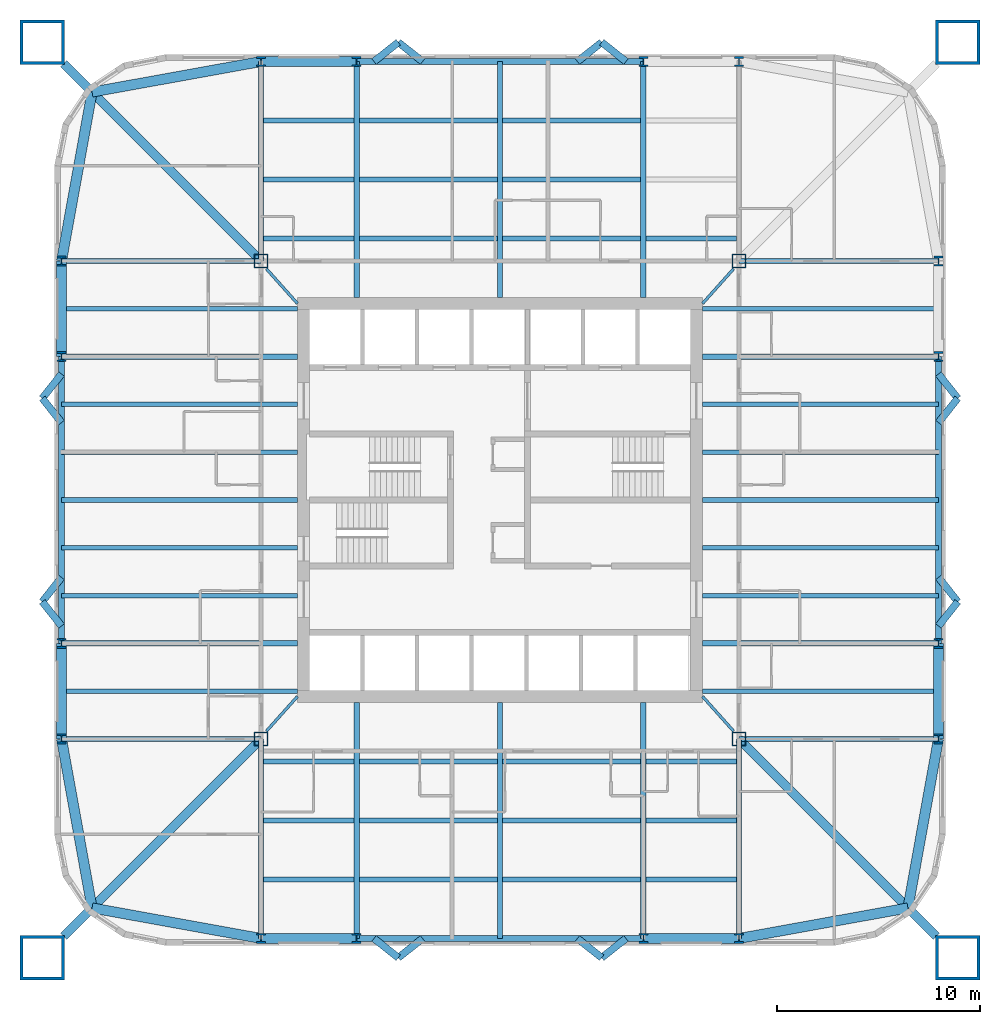
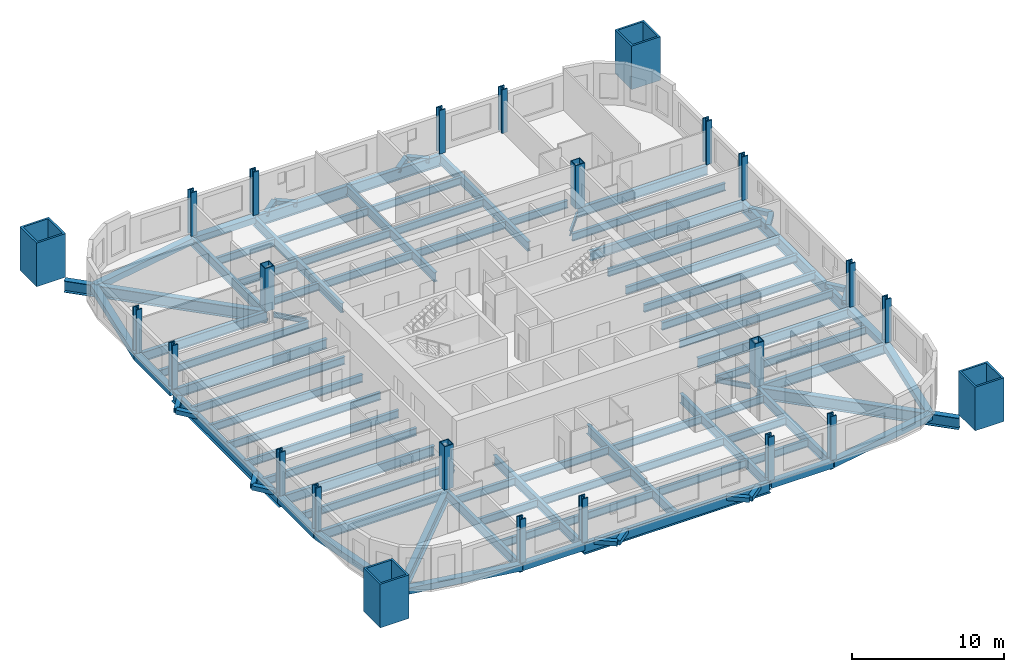
# One storey, part 1 of 10: 92 beams, 24 columns.
"""IFC4 building model written with IfcOpenShell, lengths in metres."""

from ifc_helpers import new_model, si_unit, direction, frame, origin, origin_2d, place, context, subcontext, project, spatial, hollow_rectangle, i_section, extrude, material, material_profile, profile_set, type_object, element, save


model = new_model("IFC4")

# Units and contexts
model_context = context("Model", 3, precision=1e-05, world=origin(), true_north=direction((0.0, 1.0)))
body_context = subcontext(model_context, "Body", "Model", "MODEL_VIEW")
ifc_project = project(units=[si_unit("LENGTHUNIT", "METRE"), si_unit("AREAUNIT", "SQUARE_METRE"), si_unit("VOLUMEUNIT", "CUBIC_METRE"), si_unit("PLANEANGLEUNIT", "RADIAN"), si_unit("MASSUNIT", "GRAM", prefix="KILO")], contexts=[model_context])

# Site, building, storey
site_placement = place(None, origin())
site = spatial("IfcSite", under=ifc_project, at=site_placement, CompositionType="ELEMENT")
building_placement = place(site_placement, origin())
building = spatial("IfcBuilding", under=site, at=building_placement, Name="Turquesa Mirador Hotel Tower", CompositionType="ELEMENT")
storey_placement = place(building_placement, frame((0.0, 0.0, 63.5)))
storey = spatial("IfcBuildingStorey", under=building, at=storey_placement, Name="L16", CompositionType="ELEMENT", Elevation=63.5)

# Columns
ifc_material_1 = material(Name="Steel ASTM A572 Grade 50", Category="steel")
ifc_material_profile_1 = material_profile(ifc_material_1, hollow_rectangle(XDim=0.699951171875, YDim=0.699951171875, WallThickness=0.06005859375, at=origin_2d()), Name="BOX700X700X60")
ifc_profile_set_1 = profile_set([ifc_material_profile_1], Name="Steel ASTM A572 Grade 50")
column_type_1 = type_object("IfcColumnType", Name="COLUMN BOX700X700X60", PredefinedType="COLUMN", material=ifc_profile_set_1)
for number, where, z_axis, x_axis, name in (
    (1, (43.199951171875, 33.199951171875, 0.0), (0.0, 0.0, 1.0), (1.0, 0.0, 0.0), "COL-L16-K--11.80--11.80"),
    (2, (43.199951171875, 56.800048828125, 0.0), (0.0, 0.0, 1.0), (1.0, 0.0, 0.0), "COL-L16-K--11.80-+11.80"),
    (3, (66.800048828125, 33.199951171875, 0.0), (0.0, 0.0, 1.0), (1.0, 0.0, 0.0), "COL-L16-K-+11.80--11.80"),
    (4, (66.800048828125, 56.800048828125, 0.0), (0.0, 0.0, 1.0), (1.0, 0.0, 0.0), "COL-L16-K-+11.80-+11.80"),
):
    element("IfcColumn", number, at=place(storey_placement, frame(where, z_axis=z_axis, x_axis=x_axis)), inside=storey, type_object=column_type_1, Name=name, PredefinedType="COLUMN", context=body_context, shape_type="SweptSolid", body=[
        extrude(hollow_rectangle(XDim=0.699951171875, YDim=0.699951171875, WallThickness=0.06005859375, at=origin_2d()), origin(), (0.0, 0.0, 1.0), 3.5),
    ])
ifc_material_2 = material(Name="Steel ASTM A992 Grade 50", Category="steel")
ifc_material_profile_2 = material_profile(ifc_material_2, i_section(OverallWidth=0.431884765625, OverallDepth=0.497802734375, WebThickness=0.0556640625, FlangeThickness=0.0888671875, at=origin_2d()), Name="W14X500")
ifc_profile_set_2 = profile_set([ifc_material_profile_2], Name="Steel ASTM A992 Grade 50")
column_type_2 = type_object("IfcColumnType", Name="COLUMN W14X500", PredefinedType="COLUMN", material=ifc_profile_set_2)
for number, where, z_axis, x_axis, name in (
    (5, (33.35009765625, 33.199951171875, 0.0), (0.0, 0.0, 1.0), (1.0, 0.0, 0.0), "COL-L16-P--21.65--11.80"),
    (6, (33.35009765625, 37.919921875, 0.0), (0.0, 0.0, 1.0), (1.0, 0.0, 0.0), "COL-L16-P--21.65--7.08"),
    (7, (33.35009765625, 52.080078125, 0.0), (0.0, 0.0, 1.0), (1.0, 0.0, 0.0), "COL-L16-P--21.65-+7.08"),
    (8, (33.35009765625, 56.800048828125, 0.0), (0.0, 0.0, 1.0), (1.0, 0.0, 0.0), "COL-L16-P--21.65-+11.80"),
    (9, (43.199951171875, 23.35009765625, 0.0), (0.0, 0.0, 1.0), (1.0, 0.0, 0.0), "COL-L16-P--11.80--21.65"),
    (10, (43.199951171875, 66.64990234375, 0.0), (0.0, 0.0, 1.0), (1.0, 0.0, 0.0), "COL-L16-P--11.80-+21.65"),
    (11, (47.919921875, 23.35009765625, 0.0), (0.0, 0.0, 1.0), (1.0, 0.0, 0.0), "COL-L16-P--7.08--21.65"),
    (12, (47.919921875, 66.64990234375, 0.0), (0.0, 0.0, 1.0), (1.0, 0.0, 0.0), "COL-L16-P--7.08-+21.65"),
    (13, (62.080078125, 23.35009765625, 0.0), (0.0, 0.0, 1.0), (1.0, 0.0, 0.0), "COL-L16-P-+7.08--21.65"),
    (14, (62.080078125, 66.64990234375, 0.0), (0.0, 0.0, 1.0), (1.0, 0.0, 0.0), "COL-L16-P-+7.08-+21.65"),
    (15, (66.800048828125, 23.35009765625, 0.0), (0.0, 0.0, 1.0), (1.0, 0.0, 0.0), "COL-L16-P-+11.80--21.65"),
    (16, (66.800048828125, 66.64990234375, 0.0), (0.0, 0.0, 1.0), (1.0, 0.0, 0.0), "COL-L16-P-+11.80-+21.65"),
    (17, (76.64990234375, 33.199951171875, 0.0), (0.0, 0.0, 1.0), (1.0, 0.0, 0.0), "COL-L16-P-+21.65--11.80"),
    (18, (76.64990234375, 37.919921875, 0.0), (0.0, 0.0, 1.0), (1.0, 0.0, 0.0), "COL-L16-P-+21.65--7.08"),
    (19, (76.64990234375, 52.080078125, 0.0), (0.0, 0.0, 1.0), (1.0, 0.0, 0.0), "COL-L16-P-+21.65-+7.08"),
    (20, (76.64990234375, 56.800048828125, 0.0), (0.0, 0.0, 1.0), (1.0, 0.0, 0.0), "COL-L16-P-+21.65-+11.80"),
):
    element("IfcColumn", number, at=place(storey_placement, frame(where, z_axis=z_axis, x_axis=x_axis)), inside=storey, type_object=column_type_2, Name=name, PredefinedType="COLUMN", context=body_context, shape_type="SweptSolid", body=[
        extrude(i_section(OverallWidth=0.431884765625, OverallDepth=0.497802734375, WebThickness=0.0556640625, FlangeThickness=0.0888671875, at=origin_2d()), origin(), (0.0, 0.0, 1.0), 3.5),
    ])
ifc_material_3 = material(Name="Steel ASTM A514 Grade Q", Category="steel")
ifc_material_profile_3 = material_profile(ifc_material_3, hollow_rectangle(XDim=2.199951171875, YDim=2.199951171875, WallThickness=0.14990234375, at=origin_2d()), Name="BOX2200X2200X150")
ifc_profile_set_3 = profile_set([ifc_material_profile_3], Name="Steel ASTM A514 Grade Q")
column_type_3 = type_object("IfcColumnType", Name="MEGA COLUMN BOX2200X2200X150", PredefinedType="COLUMN", material=ifc_profile_set_3)
for number, where, z_axis, x_axis, name in (
    (21, (77.60009765625, 67.60009765625, 0.0), (0.0, 0.0, 1.0), (1.0, 0.0, 0.0), "Mega column M1"),
    (22, (32.39990234375, 67.60009765625, 0.0), (0.0, 0.0, 1.0), (1.0, 0.0, 0.0), "Mega column M2"),
    (23, (32.39990234375, 22.39990234375, 0.0), (0.0, 0.0, 1.0), (1.0, 0.0, 0.0), "Mega column M3"),
    (24, (77.60009765625, 22.39990234375, 0.0), (0.0, 0.0, 1.0), (1.0, 0.0, 0.0), "Mega column M4"),
):
    element("IfcColumn", number, at=place(storey_placement, frame(where, z_axis=z_axis, x_axis=x_axis)), inside=storey, type_object=column_type_3, Name=name, PredefinedType="COLUMN", context=body_context, shape_type="SweptSolid", body=[
        extrude(hollow_rectangle(XDim=2.199951171875, YDim=2.199951171875, WallThickness=0.14990234375, at=origin_2d()), origin(), (0.0, 0.0, 1.0), 3.5),
    ])

# Beams
ifc_material_4 = material(Name="Steel ASTM A572 Grade 50", Category="steel")
ifc_material_profile_4 = material_profile(ifc_material_4, hollow_rectangle(XDim=0.5, YDim=0.5, WallThickness=0.01611328125, at=origin_2d()), Name="BOX500X500X16")
ifc_profile_set_4 = profile_set([ifc_material_profile_4], Name="Steel ASTM A572 Grade 50")
beam_type_1 = type_object("IfcBeamType", Name="BEAM BOX500X500X16", PredefinedType="BEAM", material=ifc_profile_set_4)
for number, where, z_axis, x_axis, name in (
    (25, (43.199951171875, 66.64990234375, -0.419921875), (1.0, 0.0, 0.0), (0.0, 1.0, 0.0), "EB-L16-N-L"),
    (26, (43.199951171875, 23.35009765625, -0.419921875), (1.0, 0.0, 0.0), (0.0, 1.0, 0.0), "EB-L16-S-L"),
    (27, (62.080078125, 23.35009765625, -0.419921875), (1.0, 0.0, 0.0), (0.0, 1.0, 0.0), "EB-L16-S-R"),
    (28, (76.64990234375, 33.199951171875, -0.419921875), (0.0, 1.0, 0.0), (-1.0, 0.0, 0.0), "EB-L16-E-L"),
    (29, (33.35009765625, 33.199951171875, -0.419921875), (0.0, 1.0, 0.0), (-1.0, 0.0, 0.0), "EB-L16-W-L"),
    (30, (33.35009765625, 52.080078125, -0.419921875), (0.0, 1.0, 0.0), (-1.0, 0.0, 0.0), "EB-L16-W-R"),
):
    element("IfcBeam", number, at=place(storey_placement, frame(where, z_axis=z_axis, x_axis=x_axis)), inside=storey, type_object=beam_type_1, Name=name, PredefinedType="BEAM", context=body_context, shape_type="SweptSolid", body=[
        extrude(hollow_rectangle(XDim=0.5, YDim=0.5, WallThickness=0.01611328125, at=origin_2d()), origin(), (0.0, 0.0, 1.0), 4.719970703125),
    ])
for number, where, z_axis, x_axis, name in (
    (31, (33.35009765625, 56.800048828125, -0.419921875), (0.177932387818, 0.984042715214, 0.0), (-0.984042715214, 0.177932387818, 0.0), "KE-L16-2-0"),
    (32, (34.8583984375, 65.1416015625, -0.419921875), (0.984042715214, 0.177932387818, 0.0), (-0.177932387818, 0.984042715214, 0.0), "KE-L16-2-1"),
    (33, (33.35009765625, 33.199951171875, -0.419921875), (0.177932387818, -0.984042715214, 0.0), (0.984042715214, 0.177932387818, 0.0), "KE-L16-3-0"),
    (34, (34.8583984375, 24.8583984375, -0.419921875), (0.984042715214, -0.177932387818, 0.0), (0.177932387818, 0.984042715214, 0.0), "KE-L16-3-1"),
    (35, (76.64990234375, 33.199951171875, -0.419921875), (-0.177932387818, -0.984042715214, 0.0), (0.984042715214, -0.177932387818, 0.0), "KE-L16-4-0"),
    (36, (75.1416015625, 24.8583984375, -0.419921875), (-0.984042715214, -0.177932387818, 0.0), (0.177932387818, -0.984042715214, 0.0), "KE-L16-4-1"),
):
    element("IfcBeam", number, at=place(storey_placement, frame(where, z_axis=z_axis, x_axis=x_axis)), inside=storey, type_object=beam_type_1, Name=name, PredefinedType="BEAM", context=body_context, shape_type="SweptSolid", body=[
        extrude(hollow_rectangle(XDim=0.5, YDim=0.5, WallThickness=0.01611328125, at=origin_2d()), origin(), (0.0, 0.0, 1.0), 8.476806640625),
    ])
ifc_material_5 = material(Name="Steel ASTM A992 Grade 50", Category="steel")
ifc_material_profile_5 = material_profile(ifc_material_5, i_section(OverallWidth=0.140380859375, OverallDepth=0.40380859375, WebThickness=0.007080078125, FlangeThickness=0.01123046875, at=origin_2d()), Name="W16X31")
ifc_profile_set_5 = profile_set([ifc_material_profile_5], Name="Steel ASTM A992 Grade 50")
beam_type_2 = type_object("IfcBeamType", Name="BEAM W16X31", PredefinedType="BEAM", material=ifc_profile_set_5)
for number, where, z_axis, x_axis, name in (
    (37, (66.529541015625, 56.40966796875, -0.371826171875), (-0.666745084392, -0.745285846129, 0.0), (0.745285846129, -0.666745084392, 0.0), "KT-L16-1"),
    (38, (43.470458984375, 56.40966796875, -0.371826171875), (0.666745084392, -0.745285846129, 0.0), (0.745285846129, 0.666745084392, 0.0), "KT-L16-2"),
    (39, (43.470458984375, 33.59033203125, -0.371826171875), (0.666745084392, 0.745285846129, 0.0), (-0.745285846129, 0.666745084392, 0.0), "KT-L16-3"),
    (40, (66.529541015625, 33.59033203125, -0.371826171875), (-0.666745084392, 0.745285846129, 0.0), (-0.745285846129, -0.666745084392, 0.0), "KT-L16-4"),
):
    element("IfcBeam", number, at=place(storey_placement, frame(where, z_axis=z_axis, x_axis=x_axis)), inside=storey, type_object=beam_type_2, Name=name, PredefinedType="BEAM", context=body_context, shape_type="SweptSolid", body=[
        extrude(i_section(OverallWidth=0.140380859375, OverallDepth=0.40380859375, WebThickness=0.007080078125, FlangeThickness=0.01123046875, at=origin_2d()), origin(), (0.0, 0.0, 1.0), 2.2939453125),
    ])
ifc_material_6 = material(Name="Steel ASTM A992 Grade 50", Category="steel")
ifc_material_profile_6 = material_profile(ifc_material_6, i_section(OverallWidth=0.228271484375, OverallDepth=0.607177734375, WebThickness=0.01123046875, FlangeThickness=0.017333984375, at=origin_2d()), Name="W24X76")
ifc_profile_set_6 = profile_set([ifc_material_profile_6], Name="Steel ASTM A992 Grade 50")
beam_type_3 = type_object("IfcBeamType", Name="BEAM W24X76", PredefinedType="BEAM", material=ifc_profile_set_6)
beam_1_placement = place(storey_placement, frame((43.333251953125, 57.912109375, -0.4736328125), z_axis=(1.0, 0.0, 0.0), x_axis=(0.0, 1.0, 0.0)))
element("IfcBeam", 41, at=beam_1_placement, inside=storey, type_object=beam_type_3, Name="IB-L16-N-1-0", PredefinedType="BEAM", context=body_context, shape_type="SweptSolid", body=[
    extrude(i_section(OverallWidth=0.228271484375, OverallDepth=0.607177734375, WebThickness=0.01123046875, FlangeThickness=0.017333984375, at=origin_2d()), origin(), (0.0, 0.0, 1.0), 4.453369140625),
])
for number, where, z_axis, x_axis, name in (
    (42, (48.053466796875, 57.912109375, -0.4736328125), (1.0, 0.0, 0.0), (0.0, 1.0, 0.0), "IB-L16-N-1-1"),
    (43, (55.13330078125, 57.912109375, -0.4736328125), (1.0, 0.0, 0.0), (0.0, 1.0, 0.0), "IB-L16-N-1-2"),
):
    element("IfcBeam", number, at=place(storey_placement, frame(where, z_axis=z_axis, x_axis=x_axis)), inside=storey, type_object=beam_type_3, Name=name, PredefinedType="BEAM", context=body_context, shape_type="SweptSolid", body=[
        extrude(i_section(OverallWidth=0.228271484375, OverallDepth=0.607177734375, WebThickness=0.01123046875, FlangeThickness=0.017333984375, at=origin_2d()), origin(), (0.0, 0.0, 1.0), 6.813232421875),
    ])
for number, where, z_axis, x_axis, name in (
    (44, (62.21337890625, 57.912109375, -0.4736328125), (1.0, 0.0, 0.0), (0.0, 1.0, 0.0), "IB-L16-N-1-3"),
    (45, (43.333251953125, 60.824951171875, -0.4736328125), (1.0, 0.0, 0.0), (0.0, 1.0, 0.0), "IB-L16-N-2-0"),
):
    element("IfcBeam", number, at=place(storey_placement, frame(where, z_axis=z_axis, x_axis=x_axis)), inside=storey, type_object=beam_type_3, Name=name, PredefinedType="BEAM", context=body_context, shape_type="SweptSolid", body=[
        extrude(i_section(OverallWidth=0.228271484375, OverallDepth=0.607177734375, WebThickness=0.01123046875, FlangeThickness=0.017333984375, at=origin_2d()), origin(), (0.0, 0.0, 1.0), 4.453369140625),
    ])
for number, where, z_axis, x_axis, name in (
    (46, (48.053466796875, 60.824951171875, -0.4736328125), (1.0, 0.0, 0.0), (0.0, 1.0, 0.0), "IB-L16-N-2-1"),
    (47, (55.13330078125, 60.824951171875, -0.4736328125), (1.0, 0.0, 0.0), (0.0, 1.0, 0.0), "IB-L16-N-2-2"),
):
    element("IfcBeam", number, at=place(storey_placement, frame(where, z_axis=z_axis, x_axis=x_axis)), inside=storey, type_object=beam_type_3, Name=name, PredefinedType="BEAM", context=body_context, shape_type="SweptSolid", body=[
        extrude(i_section(OverallWidth=0.228271484375, OverallDepth=0.607177734375, WebThickness=0.01123046875, FlangeThickness=0.017333984375, at=origin_2d()), origin(), (0.0, 0.0, 1.0), 6.813232421875),
    ])
beam_2_placement = place(storey_placement, frame((43.333251953125, 63.737060546875, -0.4736328125), z_axis=(1.0, 0.0, 0.0), x_axis=(0.0, 1.0, 0.0)))
element("IfcBeam", 48, at=beam_2_placement, inside=storey, type_object=beam_type_3, Name="IB-L16-N-3-0", PredefinedType="BEAM", context=body_context, shape_type="SweptSolid", body=[
    extrude(i_section(OverallWidth=0.228271484375, OverallDepth=0.607177734375, WebThickness=0.01123046875, FlangeThickness=0.017333984375, at=origin_2d()), origin(), (0.0, 0.0, 1.0), 4.453369140625),
])
for number, where, z_axis, x_axis, name in (
    (49, (48.053466796875, 63.737060546875, -0.4736328125), (1.0, 0.0, 0.0), (0.0, 1.0, 0.0), "IB-L16-N-3-1"),
    (50, (55.13330078125, 63.737060546875, -0.4736328125), (1.0, 0.0, 0.0), (0.0, 1.0, 0.0), "IB-L16-N-3-2"),
):
    element("IfcBeam", number, at=place(storey_placement, frame(where, z_axis=z_axis, x_axis=x_axis)), inside=storey, type_object=beam_type_3, Name=name, PredefinedType="BEAM", context=body_context, shape_type="SweptSolid", body=[
        extrude(i_section(OverallWidth=0.228271484375, OverallDepth=0.607177734375, WebThickness=0.01123046875, FlangeThickness=0.017333984375, at=origin_2d()), origin(), (0.0, 0.0, 1.0), 6.813232421875),
    ])
beam_3_placement = place(storey_placement, frame((43.333251953125, 32.087890625, -0.4736328125), z_axis=(1.0, 0.0, 0.0), x_axis=(0.0, 1.0, 0.0)))
element("IfcBeam", 51, at=beam_3_placement, inside=storey, type_object=beam_type_3, Name="IB-L16-S-1-0", PredefinedType="BEAM", context=body_context, shape_type="SweptSolid", body=[
    extrude(i_section(OverallWidth=0.228271484375, OverallDepth=0.607177734375, WebThickness=0.01123046875, FlangeThickness=0.017333984375, at=origin_2d()), origin(), (0.0, 0.0, 1.0), 4.453369140625),
])
for number, where, z_axis, x_axis, name in (
    (52, (48.053466796875, 32.087890625, -0.4736328125), (1.0, 0.0, 0.0), (0.0, 1.0, 0.0), "IB-L16-S-1-1"),
    (53, (55.13330078125, 32.087890625, -0.4736328125), (1.0, 0.0, 0.0), (0.0, 1.0, 0.0), "IB-L16-S-1-2"),
):
    element("IfcBeam", number, at=place(storey_placement, frame(where, z_axis=z_axis, x_axis=x_axis)), inside=storey, type_object=beam_type_3, Name=name, PredefinedType="BEAM", context=body_context, shape_type="SweptSolid", body=[
        extrude(i_section(OverallWidth=0.228271484375, OverallDepth=0.607177734375, WebThickness=0.01123046875, FlangeThickness=0.017333984375, at=origin_2d()), origin(), (0.0, 0.0, 1.0), 6.813232421875),
    ])
for number, where, z_axis, x_axis, name in (
    (54, (62.21337890625, 32.087890625, -0.4736328125), (1.0, 0.0, 0.0), (0.0, 1.0, 0.0), "IB-L16-S-1-3"),
    (55, (43.333251953125, 29.175048828125, -0.4736328125), (1.0, 0.0, 0.0), (0.0, 1.0, 0.0), "IB-L16-S-2-0"),
):
    element("IfcBeam", number, at=place(storey_placement, frame(where, z_axis=z_axis, x_axis=x_axis)), inside=storey, type_object=beam_type_3, Name=name, PredefinedType="BEAM", context=body_context, shape_type="SweptSolid", body=[
        extrude(i_section(OverallWidth=0.228271484375, OverallDepth=0.607177734375, WebThickness=0.01123046875, FlangeThickness=0.017333984375, at=origin_2d()), origin(), (0.0, 0.0, 1.0), 4.453369140625),
    ])
for number, where, z_axis, x_axis, name in (
    (56, (48.053466796875, 29.175048828125, -0.4736328125), (1.0, 0.0, 0.0), (0.0, 1.0, 0.0), "IB-L16-S-2-1"),
    (57, (55.13330078125, 29.175048828125, -0.4736328125), (1.0, 0.0, 0.0), (0.0, 1.0, 0.0), "IB-L16-S-2-2"),
):
    element("IfcBeam", number, at=place(storey_placement, frame(where, z_axis=z_axis, x_axis=x_axis)), inside=storey, type_object=beam_type_3, Name=name, PredefinedType="BEAM", context=body_context, shape_type="SweptSolid", body=[
        extrude(i_section(OverallWidth=0.228271484375, OverallDepth=0.607177734375, WebThickness=0.01123046875, FlangeThickness=0.017333984375, at=origin_2d()), origin(), (0.0, 0.0, 1.0), 6.813232421875),
    ])
for number, where, z_axis, x_axis, name in (
    (58, (62.21337890625, 29.175048828125, -0.4736328125), (1.0, 0.0, 0.0), (0.0, 1.0, 0.0), "IB-L16-S-2-3"),
    (59, (43.333251953125, 26.262939453125, -0.4736328125), (1.0, 0.0, 0.0), (0.0, 1.0, 0.0), "IB-L16-S-3-0"),
):
    element("IfcBeam", number, at=place(storey_placement, frame(where, z_axis=z_axis, x_axis=x_axis)), inside=storey, type_object=beam_type_3, Name=name, PredefinedType="BEAM", context=body_context, shape_type="SweptSolid", body=[
        extrude(i_section(OverallWidth=0.228271484375, OverallDepth=0.607177734375, WebThickness=0.01123046875, FlangeThickness=0.017333984375, at=origin_2d()), origin(), (0.0, 0.0, 1.0), 4.453369140625),
    ])
for number, where, z_axis, x_axis, name in (
    (60, (48.053466796875, 26.262939453125, -0.4736328125), (1.0, 0.0, 0.0), (0.0, 1.0, 0.0), "IB-L16-S-3-1"),
    (61, (55.13330078125, 26.262939453125, -0.4736328125), (1.0, 0.0, 0.0), (0.0, 1.0, 0.0), "IB-L16-S-3-2"),
):
    element("IfcBeam", number, at=place(storey_placement, frame(where, z_axis=z_axis, x_axis=x_axis)), inside=storey, type_object=beam_type_3, Name=name, PredefinedType="BEAM", context=body_context, shape_type="SweptSolid", body=[
        extrude(i_section(OverallWidth=0.228271484375, OverallDepth=0.607177734375, WebThickness=0.01123046875, FlangeThickness=0.017333984375, at=origin_2d()), origin(), (0.0, 0.0, 1.0), 6.813232421875),
    ])
beam_4_placement = place(storey_placement, frame((62.21337890625, 26.262939453125, -0.4736328125), z_axis=(1.0, 0.0, 0.0), x_axis=(0.0, 1.0, 0.0)))
element("IfcBeam", 62, at=beam_4_placement, inside=storey, type_object=beam_type_3, Name="IB-L16-S-3-3", PredefinedType="BEAM", context=body_context, shape_type="SweptSolid", body=[
    extrude(i_section(OverallWidth=0.228271484375, OverallDepth=0.607177734375, WebThickness=0.01123046875, FlangeThickness=0.017333984375, at=origin_2d()), origin(), (0.0, 0.0, 1.0), 4.453369140625),
])
for number, where, z_axis, x_axis, name in (
    (63, (76.64990234375, 35.56005859375, -0.4736328125), (-1.0, 0.0, 0.0), (0.0, -1.0, 0.0), "BM-L16-E--9.44"),
    (64, (76.64990234375, 40.280029296875, -0.4736328125), (-1.0, 0.0, 0.0), (0.0, -1.0, 0.0), "BM-L16-E--4.72"),
    (65, (76.64990234375, 42.639892578125, -0.4736328125), (-1.0, 0.0, 0.0), (0.0, -1.0, 0.0), "BM-L16-E--2.36"),
    (66, (76.64990234375, 45.0, -0.4736328125), (-1.0, 0.0, 0.0), (0.0, -1.0, 0.0), "BM-L16-E-+0.00"),
    (67, (76.64990234375, 47.360107421875, -0.4736328125), (-1.0, 0.0, 0.0), (0.0, -1.0, 0.0), "BM-L16-E-+2.36"),
    (68, (76.64990234375, 49.719970703125, -0.4736328125), (-1.0, 0.0, 0.0), (0.0, -1.0, 0.0), "BM-L16-E-+4.72"),
    (69, (76.64990234375, 54.43994140625, -0.4736328125), (-1.0, 0.0, 0.0), (0.0, -1.0, 0.0), "BM-L16-E-+9.44"),
    (70, (33.35009765625, 35.56005859375, -0.4736328125), (1.0, 0.0, 0.0), (0.0, 1.0, 0.0), "BM-L16-W--9.44"),
    (71, (33.35009765625, 40.280029296875, -0.4736328125), (1.0, 0.0, 0.0), (0.0, 1.0, 0.0), "BM-L16-W--4.72"),
    (72, (33.35009765625, 42.639892578125, -0.4736328125), (1.0, 0.0, 0.0), (0.0, 1.0, 0.0), "BM-L16-W--2.36"),
    (73, (33.35009765625, 45.0, -0.4736328125), (1.0, 0.0, 0.0), (0.0, 1.0, 0.0), "BM-L16-W-+0.00"),
    (74, (33.35009765625, 47.360107421875, -0.4736328125), (1.0, 0.0, 0.0), (0.0, 1.0, 0.0), "BM-L16-W-+2.36"),
    (75, (33.35009765625, 49.719970703125, -0.4736328125), (1.0, 0.0, 0.0), (0.0, 1.0, 0.0), "BM-L16-W-+4.72"),
    (76, (33.35009765625, 54.43994140625, -0.4736328125), (1.0, 0.0, 0.0), (0.0, 1.0, 0.0), "BM-L16-W-+9.44"),
):
    element("IfcBeam", number, at=place(storey_placement, frame(where, z_axis=z_axis, x_axis=x_axis)), inside=storey, type_object=beam_type_3, Name=name, PredefinedType="BEAM", context=body_context, shape_type="SweptSolid", body=[
        extrude(i_section(OverallWidth=0.228271484375, OverallDepth=0.607177734375, WebThickness=0.01123046875, FlangeThickness=0.017333984375, at=origin_2d()), origin(), (0.0, 0.0, 1.0), 11.64990234375),
    ])
ifc_material_7 = material(Name="Steel ASTM A992 Grade 50", Category="steel")
ifc_material_profile_7 = material_profile(ifc_material_7, i_section(OverallWidth=0.2666015625, OverallDepth=0.7568359375, WebThickness=0.013916015625, FlangeThickness=0.019287109375, at=origin_2d()), Name="W30X108")
ifc_profile_set_7 = profile_set([ifc_material_profile_7], Name="Steel ASTM A992 Grade 50")
beam_type_4 = type_object("IfcBeamType", Name="BEAM W30X108", PredefinedType="BEAM", material=ifc_profile_set_7)
for number, where, z_axis, x_axis, name in (
    (77, (47.919921875, 66.64990234375, -0.54833984375), (0.0, -1.0, 0.0), (1.0, 0.0, 0.0), "GD-L16-N--7.08"),
    (78, (62.080078125, 66.64990234375, -0.54833984375), (0.0, -1.0, 0.0), (1.0, 0.0, 0.0), "GD-L16-N-+7.08"),
    (79, (55.0, 66.64990234375, -0.54833984375), (0.0, -1.0, 0.0), (1.0, 0.0, 0.0), "GD-L16-N-+0.00"),
):
    element("IfcBeam", number, at=place(storey_placement, frame(where, z_axis=z_axis, x_axis=x_axis)), inside=storey, type_object=beam_type_4, Name=name, PredefinedType="BEAM", context=body_context, shape_type="SweptSolid", body=[
        extrude(i_section(OverallWidth=0.2666015625, OverallDepth=0.7568359375, WebThickness=0.013916015625, FlangeThickness=0.019287109375, at=origin_2d()), origin(), (0.0, 0.0, 1.0), 11.64990234375),
    ])
beam_5_placement = place(storey_placement, frame((43.199951171875, 66.64990234375, -0.54833984375), z_axis=(0.0, -1.0, 0.0), x_axis=(1.0, 0.0, 0.0)))
element("IfcBeam", 80, at=beam_5_placement, inside=storey, type_object=beam_type_4, Name="GK-L16-N--11.80", PredefinedType="BEAM", context=body_context, shape_type="SweptSolid", body=[
    extrude(i_section(OverallWidth=0.2666015625, OverallDepth=0.7568359375, WebThickness=0.013916015625, FlangeThickness=0.019287109375, at=origin_2d()), origin(), (0.0, 0.0, 1.0), 9.849853515625),
])
for number, where, z_axis, x_axis, name in (
    (81, (47.919921875, 23.35009765625, -0.54833984375), (0.0, 1.0, 0.0), (-1.0, 0.0, 0.0), "GD-L16-S--7.08"),
    (82, (62.080078125, 23.35009765625, -0.54833984375), (0.0, 1.0, 0.0), (-1.0, 0.0, 0.0), "GD-L16-S-+7.08"),
    (83, (55.0, 23.35009765625, -0.54833984375), (0.0, 1.0, 0.0), (-1.0, 0.0, 0.0), "GD-L16-S-+0.00"),
):
    element("IfcBeam", number, at=place(storey_placement, frame(where, z_axis=z_axis, x_axis=x_axis)), inside=storey, type_object=beam_type_4, Name=name, PredefinedType="BEAM", context=body_context, shape_type="SweptSolid", body=[
        extrude(i_section(OverallWidth=0.2666015625, OverallDepth=0.7568359375, WebThickness=0.013916015625, FlangeThickness=0.019287109375, at=origin_2d()), origin(), (0.0, 0.0, 1.0), 11.64990234375),
    ])
for number, where, z_axis, x_axis, name in (
    (84, (43.199951171875, 23.35009765625, -0.54833984375), (0.0, 1.0, 0.0), (-1.0, 0.0, 0.0), "GK-L16-S--11.80"),
    (85, (66.800048828125, 23.35009765625, -0.54833984375), (0.0, 1.0, 0.0), (-1.0, 0.0, 0.0), "GK-L16-S-+11.80"),
):
    element("IfcBeam", number, at=place(storey_placement, frame(where, z_axis=z_axis, x_axis=x_axis)), inside=storey, type_object=beam_type_4, Name=name, PredefinedType="BEAM", context=body_context, shape_type="SweptSolid", body=[
        extrude(i_section(OverallWidth=0.2666015625, OverallDepth=0.7568359375, WebThickness=0.013916015625, FlangeThickness=0.019287109375, at=origin_2d()), origin(), (0.0, 0.0, 1.0), 9.849853515625),
    ])
for number, where, z_axis, x_axis, name in (
    (86, (76.64990234375, 37.919921875, -0.54833984375), (-1.0, 0.0, 0.0), (0.0, -1.0, 0.0), "GD-L16-E--7.08"),
    (87, (76.64990234375, 52.080078125, -0.54833984375), (-1.0, 0.0, 0.0), (0.0, -1.0, 0.0), "GD-L16-E-+7.08"),
):
    element("IfcBeam", number, at=place(storey_placement, frame(where, z_axis=z_axis, x_axis=x_axis)), inside=storey, type_object=beam_type_4, Name=name, PredefinedType="BEAM", context=body_context, shape_type="SweptSolid", body=[
        extrude(i_section(OverallWidth=0.2666015625, OverallDepth=0.7568359375, WebThickness=0.013916015625, FlangeThickness=0.019287109375, at=origin_2d()), origin(), (0.0, 0.0, 1.0), 11.64990234375),
    ])
for number, where, z_axis, x_axis, name in (
    (88, (76.64990234375, 33.199951171875, -0.54833984375), (-1.0, 0.0, 0.0), (0.0, -1.0, 0.0), "GK-L16-E--11.80"),
    (89, (76.64990234375, 56.800048828125, -0.54833984375), (-1.0, 0.0, 0.0), (0.0, -1.0, 0.0), "GK-L16-E-+11.80"),
):
    element("IfcBeam", number, at=place(storey_placement, frame(where, z_axis=z_axis, x_axis=x_axis)), inside=storey, type_object=beam_type_4, Name=name, PredefinedType="BEAM", context=body_context, shape_type="SweptSolid", body=[
        extrude(i_section(OverallWidth=0.2666015625, OverallDepth=0.7568359375, WebThickness=0.013916015625, FlangeThickness=0.019287109375, at=origin_2d()), origin(), (0.0, 0.0, 1.0), 9.849853515625),
    ])
for number, where, z_axis, x_axis, name in (
    (90, (33.35009765625, 37.919921875, -0.54833984375), (1.0, 0.0, 0.0), (0.0, 1.0, 0.0), "GD-L16-W--7.08"),
    (91, (33.35009765625, 52.080078125, -0.54833984375), (1.0, 0.0, 0.0), (0.0, 1.0, 0.0), "GD-L16-W-+7.08"),
):
    element("IfcBeam", number, at=place(storey_placement, frame(where, z_axis=z_axis, x_axis=x_axis)), inside=storey, type_object=beam_type_4, Name=name, PredefinedType="BEAM", context=body_context, shape_type="SweptSolid", body=[
        extrude(i_section(OverallWidth=0.2666015625, OverallDepth=0.7568359375, WebThickness=0.013916015625, FlangeThickness=0.019287109375, at=origin_2d()), origin(), (0.0, 0.0, 1.0), 11.64990234375),
    ])
for number, where, z_axis, x_axis, name in (
    (92, (33.35009765625, 33.199951171875, -0.54833984375), (1.0, 0.0, 0.0), (0.0, 1.0, 0.0), "GK-L16-W--11.80"),
    (93, (33.35009765625, 56.800048828125, -0.54833984375), (1.0, 0.0, 0.0), (0.0, 1.0, 0.0), "GK-L16-W-+11.80"),
):
    element("IfcBeam", number, at=place(storey_placement, frame(where, z_axis=z_axis, x_axis=x_axis)), inside=storey, type_object=beam_type_4, Name=name, PredefinedType="BEAM", context=body_context, shape_type="SweptSolid", body=[
        extrude(i_section(OverallWidth=0.2666015625, OverallDepth=0.7568359375, WebThickness=0.013916015625, FlangeThickness=0.019287109375, at=origin_2d()), origin(), (0.0, 0.0, 1.0), 9.849853515625),
    ])
ifc_material_8 = material(Name="Steel ASTM A992 Grade 50", Category="steel")
ifc_material_profile_8 = material_profile(ifc_material_8, i_section(OverallWidth=0.3046875, OverallDepth=0.911865234375, WebThickness=0.015869140625, FlangeThickness=0.02392578125, at=origin_2d()), Name="W36X150")
ifc_profile_set_8 = profile_set([ifc_material_profile_8], Name="Steel ASTM A992 Grade 50")
beam_type_5 = type_object("IfcBeamType", Name="BEAM W36X150", PredefinedType="BEAM", material=ifc_profile_set_8)
for number, where, z_axis, x_axis, name in (
    (94, (47.919921875, 66.64990234375, -0.6259765625), (1.0, 0.0, 0.0), (0.0, 1.0, 0.0), "EB-L16-N-C"),
    (95, (47.919921875, 23.35009765625, -0.6259765625), (1.0, 0.0, 0.0), (0.0, 1.0, 0.0), "EB-L16-S-C"),
    (96, (76.64990234375, 37.919921875, -0.6259765625), (0.0, 1.0, 0.0), (-1.0, 0.0, 0.0), "EB-L16-E-C"),
    (97, (33.35009765625, 37.919921875, -0.6259765625), (0.0, 1.0, 0.0), (-1.0, 0.0, 0.0), "EB-L16-W-C"),
):
    element("IfcBeam", number, at=place(storey_placement, frame(where, z_axis=z_axis, x_axis=x_axis)), inside=storey, type_object=beam_type_5, Name=name, PredefinedType="BEAM", context=body_context, shape_type="SweptSolid", body=[
        extrude(i_section(OverallWidth=0.3046875, OverallDepth=0.911865234375, WebThickness=0.015869140625, FlangeThickness=0.02392578125, at=origin_2d()), origin(), (0.0, 0.0, 1.0), 14.16015625),
    ])
ifc_material_9 = material(Name="Steel ASTM A992 Grade 50", Category="steel")
ifc_material_profile_9 = material_profile(ifc_material_9, i_section(OverallWidth=0.419189453125, OverallDepth=0.927001953125, WebThickness=0.019287109375, FlangeThickness=0.031982421875, at=origin_2d()), Name="W36X231")
ifc_profile_set_9 = profile_set([ifc_material_profile_9], Name="Steel ASTM A992 Grade 50")
beam_type_6 = type_object("IfcBeamType", Name="BEAM W36X231", PredefinedType="BEAM", material=ifc_profile_set_9)
for number, where, z_axis, x_axis, name in (
    (98, (43.199951171875, 56.800048828125, -0.633544921875), (-0.707106781187, 0.707106781187, 0.0), (-0.707106781187, -0.707106781187, 0.0), "KD-L16-2"),
    (99, (43.199951171875, 33.199951171875, -0.633544921875), (-0.707106781187, -0.707106781187, 0.0), (0.707106781187, -0.707106781187, 0.0), "KD-L16-3"),
    (100, (66.800048828125, 33.199951171875, -0.633544921875), (0.707106781187, -0.707106781187, 0.0), (0.707106781187, 0.707106781187, 0.0), "KD-L16-4"),
):
    element("IfcBeam", number, at=place(storey_placement, frame(where, z_axis=z_axis, x_axis=x_axis)), inside=storey, type_object=beam_type_6, Name=name, PredefinedType="BEAM", context=body_context, shape_type="SweptSolid", body=[
        extrude(i_section(OverallWidth=0.419189453125, OverallDepth=0.927001953125, WebThickness=0.019287109375, FlangeThickness=0.031982421875, at=origin_2d()), origin(), (0.0, 0.0, 1.0), 13.78857421875),
    ])
ifc_material_10 = material(Name="Steel ASTM A500 Grade C", Category="steel")
ifc_material_profile_10 = material_profile(ifc_material_10, hollow_rectangle(XDim=0.355712890625, YDim=0.355712890625, WallThickness=0.0146484375, at=origin_2d()), Name="HSS14X14X5/8")
ifc_profile_set_10 = profile_set([ifc_material_profile_10], Name="Steel ASTM A500 Grade C")
beam_type_7 = type_object("IfcBeamType", Name="BRACE STRUT HSS14X14X5/8", PredefinedType="BEAM", material=ifc_profile_set_10)
for number, where, z_axis, x_axis, name in (
    (101, (60.022216796875, 67.60009765625, -0.347900390625), (-0.783971428146, -0.620796907089, 0.0), (0.620796907089, -0.783971428146, 0.0), "Brace strut"),
    (102, (60.022216796875, 67.60009765625, -0.347900390625), (0.783971428146, -0.620796907089, 0.0), (0.620796907089, 0.783971428146, 0.0), "Brace strut"),
    (103, (49.977783203125, 67.60009765625, -0.347900390625), (-0.783971428146, -0.620796907089, 0.0), (0.620796907089, -0.783971428146, 0.0), "Brace strut"),
    (104, (49.977783203125, 67.60009765625, -0.347900390625), (0.783971428146, -0.620796907089, 0.0), (0.620796907089, 0.783971428146, 0.0), "Brace strut"),
    (105, (60.022216796875, 22.39990234375, -0.347900390625), (-0.783971428146, 0.620796907089, 0.0), (-0.620796907089, -0.783971428146, 0.0), "Brace strut"),
    (106, (60.022216796875, 22.39990234375, -0.347900390625), (0.783971428146, 0.620796907089, 0.0), (-0.620796907089, 0.783971428146, 0.0), "Brace strut"),
    (107, (49.977783203125, 22.39990234375, -0.347900390625), (-0.783971428146, 0.620796907089, 0.0), (-0.620796907089, -0.783971428146, 0.0), "Brace strut"),
    (108, (49.977783203125, 22.39990234375, -0.347900390625), (0.783971428146, 0.620796907089, 0.0), (-0.620796907089, 0.783971428146, 0.0), "Brace strut"),
    (109, (77.60009765625, 50.022216796875, -0.347900390625), (-0.620796907089, -0.783971428146, 0.0), (0.783971428146, -0.620796907089, 0.0), "Brace strut"),
    (110, (77.60009765625, 50.022216796875, -0.347900390625), (-0.620796907089, 0.783971428146, 0.0), (-0.783971428146, -0.620796907089, 0.0), "Brace strut"),
    (111, (77.60009765625, 39.977783203125, -0.347900390625), (-0.620796907089, -0.783971428146, 0.0), (0.783971428146, -0.620796907089, 0.0), "Brace strut"),
    (112, (77.60009765625, 39.977783203125, -0.347900390625), (-0.620796907089, 0.783971428146, 0.0), (-0.783971428146, -0.620796907089, 0.0), "Brace strut"),
    (113, (32.39990234375, 50.022216796875, -0.347900390625), (0.620796907089, -0.783971428146, 0.0), (0.783971428146, 0.620796907089, 0.0), "Brace strut"),
    (114, (32.39990234375, 50.022216796875, -0.347900390625), (0.620796907089, 0.783971428146, 0.0), (-0.783971428146, 0.620796907089, 0.0), "Brace strut"),
    (115, (32.39990234375, 39.977783203125, -0.347900390625), (0.620796907089, -0.783971428146, 0.0), (0.783971428146, 0.620796907089, 0.0), "Brace strut"),
    (116, (32.39990234375, 39.977783203125, -0.347900390625), (0.620796907089, 0.783971428146, 0.0), (-0.783971428146, 0.620796907089, 0.0), "Brace strut"),
):
    element("IfcBeam", number, at=place(storey_placement, frame(where, z_axis=z_axis, x_axis=x_axis)), inside=storey, type_object=beam_type_7, Name=name, PredefinedType="BEAM", context=body_context, shape_type="SweptSolid", body=[
        extrude(hollow_rectangle(XDim=0.355712890625, YDim=0.355712890625, WallThickness=0.0146484375, at=origin_2d()), origin(), (0.0, 0.0, 1.0), 1.530517578125),
    ])

save(model, "model.ifc")
